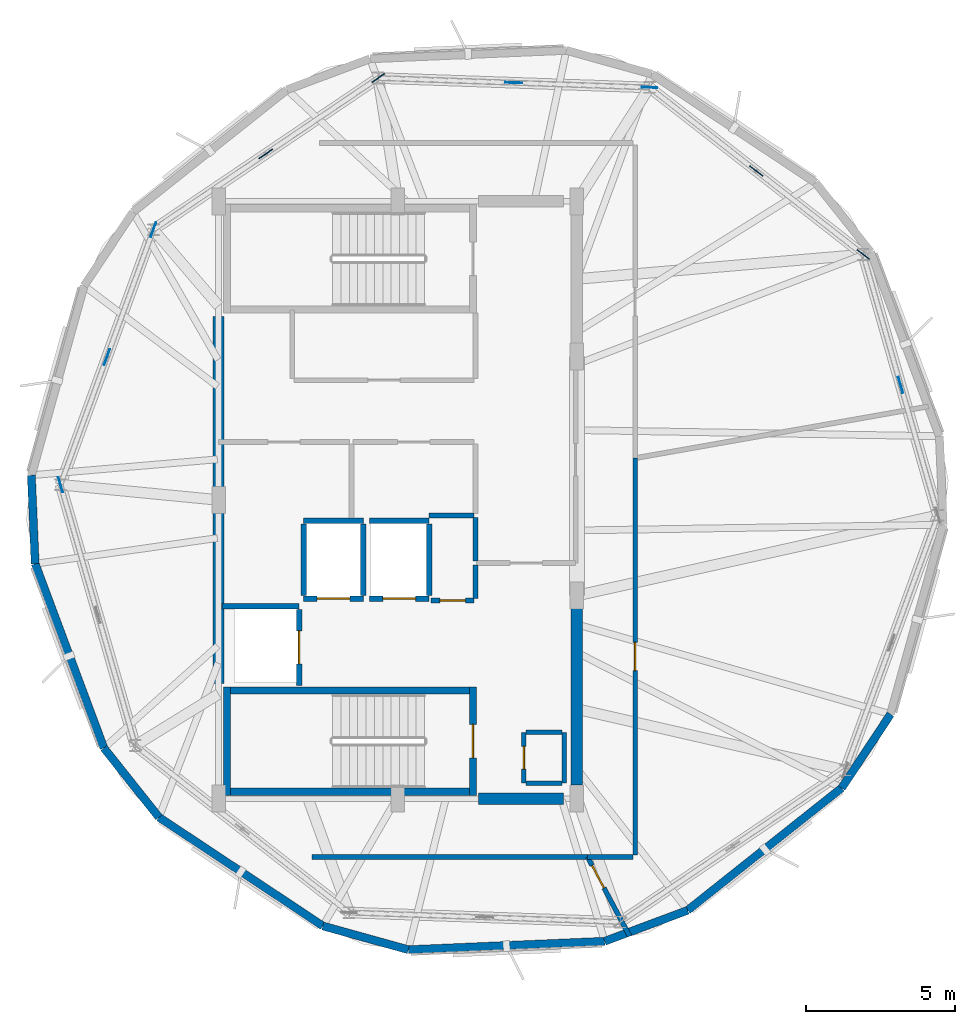
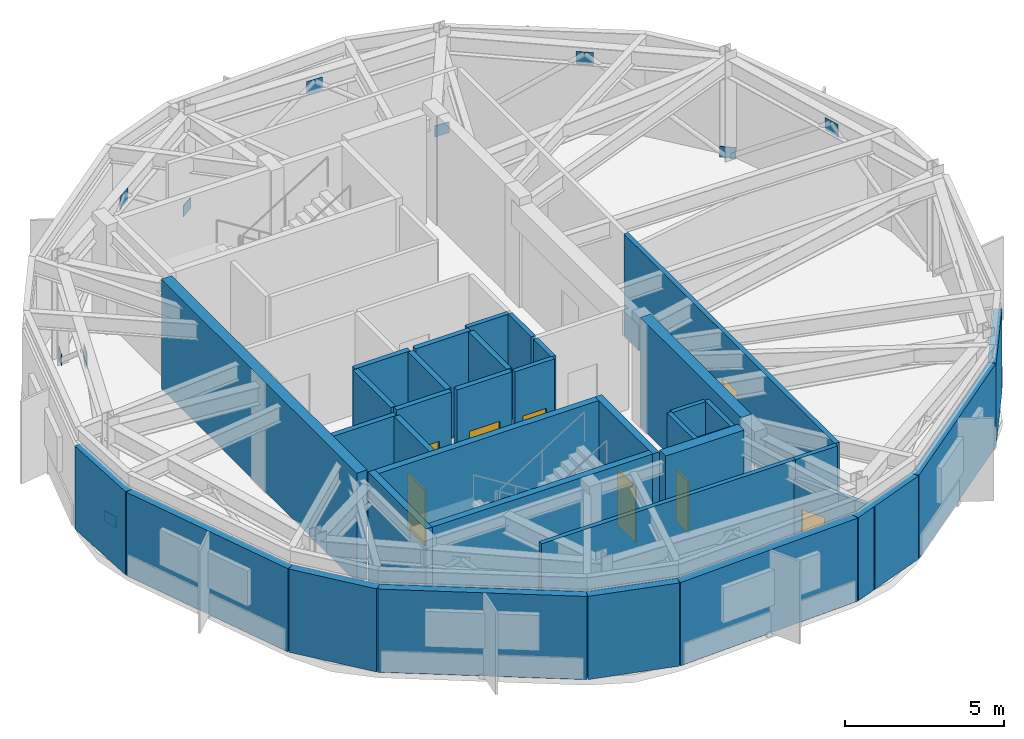
# One storey, part 3 of 6: 37 walls, 10 plates, 8 doors, 8 openings.
"""IFC4 building model written with IfcOpenShell, lengths in metres."""

from ifc_helpers import new_model, si_unit, direction, frame, frame_2d, origin, origin_2d, place, context, subcontext, project, spatial, rectangle, extrude, material, layer, layer_set, type_object, element, fill, save


model = new_model("IFC4")

# Units and contexts
model_context = context("Model", 3, precision=1e-05, world=origin(), true_north=direction((0.0, 1.0)))
body_context = subcontext(model_context, "Body", "Model", "MODEL_VIEW")
ifc_project = project(units=[si_unit("LENGTHUNIT", "METRE"), si_unit("AREAUNIT", "SQUARE_METRE"), si_unit("VOLUMEUNIT", "CUBIC_METRE"), si_unit("PLANEANGLEUNIT", "RADIAN"), si_unit("MASSUNIT", "GRAM", prefix="KILO")], contexts=[model_context])

# Site, building, storey
site_placement = place(None, origin())
site = spatial("IfcSite", under=ifc_project, at=site_placement, CompositionType="ELEMENT")
building_placement = place(site_placement, origin())
building = spatial("IfcBuilding", under=site, at=building_placement, Name="Soratama Intermodal Tower", CompositionType="ELEMENT")
storey_placement = place(building_placement, frame((0.0, 0.0, 309.85009765625)))
storey = spatial("IfcBuildingStorey", under=building, at=storey_placement, Name="L78", CompositionType="ELEMENT", Elevation=309.85009765625)

# Plates
ifc_material_1 = material(Name="Structural steel ASTM A992 Grade 50", Category="steel")
ifc_layer_1 = layer(ifc_material_1, 0.030029296875)
ifc_layer_set_1 = layer_set([ifc_layer_1], Name="Structural steel ASTM A992 Grade 50")
plate_type = type_object("IfcPlateType", Name="PL-GUSSET-30", PredefinedType="USERDEFINED", material=ifc_layer_set_1)
plate_1_placement = place(storey_placement, frame((50.607421875, 36.016845703125, 3.12744140625), z_axis=(0.0, 0.0, 1.0), x_axis=(-0.788010753607, 0.615661475326, 0.0)))
element("IfcPlate", 1, at=plate_1_placement, inside=storey, type_object=plate_type, Name="L78 Belt Truss Apex Gusset 01", ObjectType="GUSSET PLATE", PredefinedType="USERDEFINED", context=body_context, shape_type="SweptSolid", body=[
    extrude(rectangle(XDim=0.56005859375, YDim=0.030029296875, at=origin_2d()), origin(), (0.0, 0.0, 1.0), 0.47998046875),
])
plate_2_placement = place(storey_placement, frame((54.18701171875, 33.22021484375, -0.02001953125), z_axis=(0.0, 0.0, 1.0), x_axis=(-0.788010753607, 0.615661475326, 0.0)))
element("IfcPlate", 2, at=plate_2_placement, inside=storey, type_object=plate_type, Name="L78 Belt Truss Foot Gusset 01", ObjectType="GUSSET PLATE", PredefinedType="USERDEFINED", context=body_context, shape_type="SweptSolid", body=[
    extrude(rectangle(XDim=0.52001953125, YDim=0.030029296875, at=origin_2d()), origin(), (0.0, 0.0, 1.0), 0.419921875),
])
plate_3_placement = place(storey_placement, frame((42.48779296875, 38.971923828125, 3.12744140625), z_axis=(0.0, 0.0, 1.0), x_axis=(-0.999390827019, 0.034899496703, 0.0)))
element("IfcPlate", 3, at=plate_3_placement, inside=storey, type_object=plate_type, Name="L78 Belt Truss Apex Gusset 02", ObjectType="GUSSET PLATE", PredefinedType="USERDEFINED", context=body_context, shape_type="SweptSolid", body=[
    extrude(rectangle(XDim=0.56005859375, YDim=0.030029296875, at=origin_2d()), origin(), (0.0, 0.0, 1.0), 0.47998046875),
])
plate_4_placement = place(storey_placement, frame((47.027587890625, 38.8134765625, -0.02001953125), z_axis=(0.0, 0.0, 1.0), x_axis=(-0.999390827019, 0.034899496703, 0.0)))
element("IfcPlate", 4, at=plate_4_placement, inside=storey, type_object=plate_type, Name="L78 Belt Truss Foot Gusset 02", ObjectType="GUSSET PLATE", PredefinedType="USERDEFINED", context=body_context, shape_type="SweptSolid", body=[
    extrude(rectangle(XDim=0.52001953125, YDim=0.030029296875, at=origin_2d()), origin(), (0.0, 0.0, 1.0), 0.419921875),
])
plate_5_placement = place(storey_placement, frame((34.18212890625, 36.59033203125, 3.12744140625), z_axis=(0.0, 0.0, 1.0), x_axis=(-0.829037572555, -0.559192903471, 0.0)))
element("IfcPlate", 5, at=plate_5_placement, inside=storey, type_object=plate_type, Name="L78 Belt Truss Apex Gusset 03", ObjectType="GUSSET PLATE", PredefinedType="USERDEFINED", context=body_context, shape_type="SweptSolid", body=[
    extrude(rectangle(XDim=0.56005859375, YDim=0.030029296875, at=origin_2d()), origin(), (0.0, 0.0, 1.0), 0.47998046875),
])
plate_6_placement = place(storey_placement, frame((37.947998046875, 39.130615234375, -0.02001953125), z_axis=(0.0, 0.0, 1.0), x_axis=(-0.829037572555, -0.559192903471, 0.0)))
element("IfcPlate", 6, at=plate_6_placement, inside=storey, type_object=plate_type, Name="L78 Belt Truss Foot Gusset 03", ObjectType="GUSSET PLATE", PredefinedType="USERDEFINED", context=body_context, shape_type="SweptSolid", body=[
    extrude(rectangle(XDim=0.52001953125, YDim=0.030029296875, at=origin_2d()), origin(), (0.0, 0.0, 1.0), 0.419921875),
])
plate_7_placement = place(storey_placement, frame((28.862548828125, 29.781494140625, 3.12744140625), z_axis=(0.0, 0.0, 1.0), x_axis=(-0.342020143326, -0.939692620786, 0.0)))
element("IfcPlate", 7, at=plate_7_placement, inside=storey, type_object=plate_type, Name="L78 Belt Truss Apex Gusset 04", ObjectType="GUSSET PLATE", PredefinedType="USERDEFINED", context=body_context, shape_type="SweptSolid", body=[
    extrude(rectangle(XDim=0.56005859375, YDim=0.030029296875, at=origin_2d()), origin(), (0.0, 0.0, 1.0), 0.47998046875),
])
for number, where, z_axis, x_axis, name in (
    (8, (30.416259765625, 34.05029296875, -0.02001953125), (0.0, 0.0, 1.0), (-0.342020143326, -0.939692620786, 0.0), "L78 Belt Truss Foot Gusset 04"),
    (9, (27.30908203125, 25.512939453125, -0.02001953125), (0.0, 0.0, 1.0), (0.275637355817, -0.961261695938, 0.0), "L78 Belt Truss Foot Gusset 05"),
):
    element("IfcPlate", number, at=place(storey_placement, frame(where, z_axis=z_axis, x_axis=x_axis)), inside=storey, type_object=plate_type, Name=name, ObjectType="GUSSET PLATE", PredefinedType="USERDEFINED", context=body_context, shape_type="SweptSolid", body=[
        extrude(rectangle(XDim=0.52001953125, YDim=0.030029296875, at=origin_2d()), origin(), (0.0, 0.0, 1.0), 0.419921875),
    ])
plate_8_placement = place(storey_placement, frame((55.43896484375, 28.853515625, 3.12744140625), z_axis=(0.0, 0.0, 1.0), x_axis=(-0.275637355817, 0.961261695938, 0.0)))
element("IfcPlate", 10, at=plate_8_placement, inside=storey, type_object=plate_type, Name="L78 Belt Truss Apex Gusset 10", ObjectType="GUSSET PLATE", PredefinedType="USERDEFINED", context=body_context, shape_type="SweptSolid", body=[
    extrude(rectangle(XDim=0.56005859375, YDim=0.030029296875, at=origin_2d()), origin(), (0.0, 0.0, 1.0), 0.47998046875),
])

# Walls
ifc_material_2 = material(Name="Concrete f'c 42 MPa", Category="concrete")
ifc_layer_2 = layer(ifc_material_2, 0.27001953125)
ifc_layer_set_2 = layer_set([ifc_layer_2], Name="Concrete f'c 42 MPa")
wall_type_1 = type_object("IfcWallType", Name="EW-CRN-270", PredefinedType="SOLIDWALL", material=ifc_layer_set_2)
wall_1_placement = place(storey_placement, frame((26.332275390625, 25.82861328125, 0.0), z_axis=(0.0, 0.0, 1.0), x_axis=(0.04296219102, -0.999076698829, 0.0)))
element("IfcWall", 11, at=wall_1_placement, inside=storey, type_object=wall_type_1, Name="L78 Corner Closure Wall 03", PredefinedType="SOLIDWALL", context=body_context, shape_type="SweptSolid", body=[
    extrude(rectangle(XDim=2.96630859375, YDim=0.27001953125, at=frame_2d((1.483154296875, 0.0))), origin(), (0.0, 0.0, 1.0), 3.19482421875),
])
wall_2_placement = place(storey_placement, frame((28.760986328125, 16.6962890625, 0.0), z_axis=(0.0, 0.0, 1.0), x_axis=(0.621981590469, -0.783031864688, 0.0)))
element("IfcWall", 12, at=wall_2_placement, inside=storey, type_object=wall_type_1, Name="L78 Corner Closure Wall 04", PredefinedType="SOLIDWALL", context=body_context, shape_type="SweptSolid", body=[
    extrude(rectangle(XDim=2.966552734375, YDim=0.27001953125, at=frame_2d((1.4833984375, 0.0))), origin(), (0.0, 0.0, 1.0), 3.19482421875),
])
wall_3_placement = place(storey_placement, frame((26.459716796875, 22.864990234375, 0.0), z_axis=(0.0, 0.0, 1.0), x_axis=(0.349525906229, -0.936926699841, 0.0)))
element("IfcWall", 13, at=wall_3_placement, inside=storey, type_object=wall_type_1, Name="L78 Plant Wall F04", PredefinedType="SOLIDWALL", context=body_context, shape_type="SweptSolid", body=[
    extrude(rectangle(XDim=6.583984375, YDim=0.27001953125, at=frame_2d((3.2919921875, 0.0))), origin(), (0.0, 0.0, 1.0), 3.19482421875),
])
wall_4_placement = place(storey_placement, frame((36.093994140625, 10.735595703125, 0.0), z_axis=(0.0, 0.0, 1.0), x_axis=(0.9634471278, -0.267898547838, 0.0)))
element("IfcWall", 14, at=wall_4_placement, inside=storey, type_object=wall_type_1, Name="L78 Corner Closure Wall 05", PredefinedType="SOLIDWALL", context=body_context, shape_type="SweptSolid", body=[
    extrude(rectangle(XDim=2.96630859375, YDim=0.27001953125, at=frame_2d((1.483154296875, 0.0))), origin(), (0.0, 0.0, 1.0), 3.19482421875),
])
wall_5_placement = place(storey_placement, frame((30.606201171875, 14.373291015625, 0.0), z_axis=(0.0, 0.0, 1.0), x_axis=(0.833507833443, -0.552507639394, 0.0)))
element("IfcWall", 15, at=wall_5_placement, inside=storey, type_object=wall_type_1, Name="L78 Plant Wall F05", PredefinedType="SOLIDWALL", context=body_context, shape_type="SweptSolid", body=[
    extrude(rectangle(XDim=6.583984375, YDim=0.27001953125, at=frame_2d((3.2919921875, 0.0))), origin(), (0.0, 0.0, 1.0), 3.19482421875),
])
wall_6_placement = place(storey_placement, frame((45.52978515625, 10.223388671875, 0.0), z_axis=(0.0, 0.0, 1.0), x_axis=(0.936896155524, 0.349607771316, 0.0)))
element("IfcWall", 16, at=wall_6_placement, inside=storey, type_object=wall_type_1, Name="L78 Corner Closure Wall 06", PredefinedType="SOLIDWALL", context=body_context, shape_type="SweptSolid", body=[
    extrude(rectangle(XDim=2.966552734375, YDim=0.27001953125, at=frame_2d((1.4833984375, 0.0))), origin(), (0.0, 0.0, 1.0), 3.19482421875),
])
wall_7_placement = place(storey_placement, frame((38.951904296875, 9.94091796875, 0.0), z_axis=(0.0, 0.0, 1.0), x_axis=(0.999079243743, 0.042902968675, 0.0)))
element("IfcWall", 17, at=wall_7_placement, inside=storey, type_object=wall_type_1, Name="L78 Plant Wall F06", PredefinedType="SOLIDWALL", context=body_context, shape_type="SweptSolid", body=[
    extrude(rectangle(XDim=6.583984375, YDim=0.27001953125, at=frame_2d((3.2919921875, 0.0))), origin(), (0.0, 0.0, 1.0), 3.19482421875),
])
wall_8_placement = place(storey_placement, frame((53.464599609375, 15.35546875, 0.0), z_axis=(0.0, 0.0, 1.0), x_axis=(0.552533308553, 0.833490817549, 0.0)))
element("IfcWall", 18, at=wall_8_placement, inside=storey, type_object=wall_type_1, Name="L78 Corner Closure Wall 07", PredefinedType="SOLIDWALL", context=body_context, shape_type="SweptSolid", body=[
    extrude(rectangle(XDim=2.966552734375, YDim=0.27001953125, at=frame_2d((1.4833984375, 0.0))), origin(), (0.0, 0.0, 1.0), 3.19482421875),
])
wall_9_placement = place(storey_placement, frame((48.30908203125, 11.260498046875, 0.0), z_axis=(0.0, 0.0, 1.0), x_axis=(0.78304551323, 0.621964407511, 0.0)))
element("IfcWall", 19, at=wall_9_placement, inside=storey, type_object=wall_type_1, Name="L78 Plant Wall F07", PredefinedType="SOLIDWALL", context=body_context, shape_type="SweptSolid", body=[
    extrude(rectangle(XDim=6.583984375, YDim=0.27001953125, at=frame_2d((3.2919921875, 0.0))), origin(), (0.0, 0.0, 1.0), 3.19482421875),
])
ifc_material_3 = material(Name="Fire-rated gypsum stud partition", Category="concrete")
ifc_layer_3 = layer(ifc_material_3, 0.14990234375)
ifc_layer_set_3 = layer_set([ifc_layer_3], Name="Fire-rated gypsum stud partition")
wall_type_2 = type_object("IfcWallType", Name="IW-PART-R150", PredefinedType="PARTITIONING", material=ifc_layer_set_3)
for number, where, z_axis, x_axis, name in (
    (20, (42.89990234375, 15.52001953125, 0.0), (0.0, 0.0, 1.0), (1.0, 0.0, 0.0), "L78 Riser Wall S"),
    (21, (42.89990234375, 17.219970703125, 0.0), (0.0, 0.0, 1.0), (1.0, 0.0, 0.0), "L78 Riser Wall N"),
):
    element("IfcWall", number, at=place(storey_placement, frame(where, z_axis=z_axis, x_axis=x_axis)), inside=storey, type_object=wall_type_2, Name=name, PredefinedType="PARTITIONING", context=body_context, shape_type="SweptSolid", body=[
        extrude(rectangle(XDim=1.2001953125, YDim=0.14990234375, at=frame_2d((0.60009765625, 0.0))), origin(), (0.0, 0.0, 1.0), 3.89501953125),
    ])
wall_10_placement = place(storey_placement, frame((44.179931640625, 15.52001953125, 0.0), z_axis=(0.0, 0.0, 1.0), x_axis=(0.0, 1.0, 0.0)))
element("IfcWall", 22, at=wall_10_placement, inside=storey, type_object=wall_type_2, Name="L78 Riser Wall E", PredefinedType="PARTITIONING", context=body_context, shape_type="SweptSolid", body=[
    extrude(rectangle(XDim=1.699951171875, YDim=0.14990234375, at=frame_2d((0.85009765625, 0.0))), origin(), (0.0, 0.0, 1.0), 3.89501953125),
])

# Wall, opening, door
wall_11_placement = place(storey_placement, frame((42.820068359375, 15.52001953125, 0.0), z_axis=(0.0, 0.0, 1.0), x_axis=(0.0, 1.0, 0.0)))
wall_11 = element("IfcWall", 23, at=wall_11_placement, inside=storey, type_object=wall_type_2, Name="L78 Riser Front Wall", PredefinedType="PARTITIONING", context=body_context, shape_type="SweptSolid", body=[
    extrude(rectangle(XDim=1.699951171875, YDim=0.14990234375, at=frame_2d((0.85009765625, 0.0))), origin(), (0.0, 0.0, 1.0), 3.89501953125),
])
opening_1_placement = place(wall_11_placement, frame((0.469970703125, 0.0, 0.0)))
opening_1 = element("IfcOpeningElement", 24, at=opening_1_placement, cuts=wall_11, Name="Opening TD-1", PredefinedType="OPENING", context=body_context, shape_type="SweptSolid", body=[
    extrude(rectangle(XDim=0.760009765625, YDim=2.0, at=frame_2d((0.3798828125, 1.0))), frame((0.0, 0.0849609375, 0.0), z_axis=(0.0, -1.0, 0.0), x_axis=(1.0, 0.0, 0.0)), (0.0, 0.0, 1.0), 0.169921875),
])
ifc_material_4 = material(Name="Steel fire door", Category="steel")
door_type_1 = type_object("IfcDoorType", Name="DR-RISER-TRAP", OperationType="NOTDEFINED", PredefinedType="TRAPDOOR", material=ifc_material_4)
door_1_placement = place(opening_1_placement, origin())
door_1 = element("IfcDoor", 25, at=door_1_placement, inside=storey, type_object=door_type_1, Name="L78 Riser Inspection Door", OperationType="SINGLE_SWING_LEFT", OverallHeight=2.0, OverallWidth=0.760009765625, PredefinedType="TRAPDOOR", context=body_context, shape_type="SweptSolid", body=[
    extrude(rectangle(XDim=0.760009765625, YDim=2.0, at=frame_2d((0.3798828125, 1.0))), frame((0.0, 0.02490234375, 0.0), z_axis=(0.0, -1.0, 0.0), x_axis=(1.0, 0.0, 0.0)), (0.0, 0.0, 1.0), 0.050048828125),
])
fill(opening_1, door_1)

ifc_material_5 = material(Name="Fire-rated gypsum stud partition", Category="concrete")
ifc_layer_4 = layer(ifc_material_5, 0.159912109375)
ifc_layer_set_4 = layer_set([ifc_layer_4], Name="Fire-rated gypsum stud partition")
wall_type_3 = type_object("IfcWallType", Name="IW-PART-R160", PredefinedType="PARTITIONING", material=ifc_layer_set_4)
wall_12_placement = place(storey_placement, frame((46.550048828125, 26.40087890625, 0.0), z_axis=(0.0, 0.0, 1.0), x_axis=(0.0, -1.0, 0.0)))
wall_12 = element("IfcWall", 26, at=wall_12_placement, inside=storey, type_object=wall_type_3, Name="L78 Partition W-L78-TP001", PredefinedType="PARTITIONING", context=body_context, shape_type="SweptSolid", body=[
    extrude(rectangle(XDim=13.28076171875, YDim=0.159912109375, at=frame_2d((6.640380859375, 0.0))), origin(), (0.0, 0.0, 1.0), 3.89501953125),
])
opening_2_placement = place(wall_12_placement, frame((6.166015625, 0.0, 0.0)))
opening_2 = element("IfcOpeningElement", 27, at=opening_2_placement, cuts=wall_12, Name="Opening ID-3", PredefinedType="OPENING", context=body_context, shape_type="SweptSolid", body=[
    extrude(rectangle(XDim=0.949951171875, YDim=2.14990234375, at=frame_2d((0.47509765625, 1.074951171875))), frame((0.0, 0.08984375, 0.0), z_axis=(0.0, -1.0, 0.0), x_axis=(1.0, 0.0, 0.0)), (0.0, 0.0, 1.0), 0.179931640625),
])
ifc_material_6 = material(Name="Solid hardwood acoustic door", Category="wood")
door_type_2 = type_object("IfcDoorType", Name="DR-ROOM-950", OperationType="NOTDEFINED", PredefinedType="DOOR", material=ifc_material_6)
door_2_placement = place(opening_2_placement, origin())
door_2 = element("IfcDoor", 28, at=door_2_placement, inside=storey, type_object=door_type_2, Name="L78 Door D-L78-TP001", OperationType="SINGLE_SWING_RIGHT", OverallHeight=2.14990234375, OverallWidth=0.949951171875, PredefinedType="DOOR", context=body_context, shape_type="SweptSolid", body=[
    extrude(rectangle(XDim=0.949951171875, YDim=2.14990234375, at=frame_2d((0.47509765625, 1.074951171875))), frame((0.0, 0.02490234375, 0.0), z_axis=(0.0, -1.0, 0.0), x_axis=(1.0, 0.0, 0.0)), (0.0, 0.0, 1.0), 0.050048828125),
])
fill(opening_2, door_2)

wall_13_placement = place(storey_placement, frame((46.365966796875, 10.39306640625, 0.0), z_axis=(0.0, 0.0, 1.0), x_axis=(-0.46924421405, 0.883068438787, 0.0)))
wall_13 = element("IfcWall", 29, at=wall_13_placement, inside=storey, type_object=wall_type_3, Name="L78 Partition W-L78-TP009", PredefinedType="PARTITIONING", context=body_context, shape_type="SweptSolid", body=[
    extrude(rectangle(XDim=3.0087890625, YDim=0.159912109375, at=frame_2d((1.50439453125, 0.0))), origin(), (0.0, 0.0, 1.0), 3.18994140625),
])
opening_3_placement = place(wall_13_placement, frame((1.83203125, 0.0, 0.0)))
opening_3 = element("IfcOpeningElement", 30, at=opening_3_placement, cuts=wall_13, Name="Opening ID-4", PredefinedType="OPENING", context=body_context, shape_type="SweptSolid", body=[
    extrude(rectangle(XDim=0.85009765625, YDim=2.10009765625, at=frame_2d((0.425048828125, 1.050048828125))), frame((0.0, 0.08984375, 0.0), z_axis=(0.0, -1.0, 0.0), x_axis=(1.0, 0.0, 0.0)), (0.0, 0.0, 1.0), 0.179931640625),
])
ifc_material_7 = material(Name="Solid hardwood acoustic door", Category="wood")
door_type_3 = type_object("IfcDoorType", Name="DR-BATH-850", OperationType="NOTDEFINED", PredefinedType="DOOR", material=ifc_material_7)
door_3_placement = place(opening_3_placement, origin())
door_3 = element("IfcDoor", 31, at=door_3_placement, inside=storey, type_object=door_type_3, Name="L78 Door D-L78-TP009", OperationType="SINGLE_SWING_LEFT", OverallHeight=2.10009765625, OverallWidth=0.85009765625, PredefinedType="DOOR", context=body_context, shape_type="SweptSolid", body=[
    extrude(rectangle(XDim=0.85009765625, YDim=2.10009765625, at=frame_2d((0.425048828125, 1.050048828125))), frame((0.0, 0.02490234375, 0.0), z_axis=(0.0, -1.0, 0.0), x_axis=(1.0, 0.0, 0.0)), (0.0, 0.0, 1.0), 0.050048828125),
])
fill(opening_3, door_3)

# Walls
wall_14_placement = place(storey_placement, frame((46.47998046875, 13.050048828125, 0.0), z_axis=(0.0, 0.0, 1.0), x_axis=(-1.0, 0.0, 0.0)))
element("IfcWall", 32, at=wall_14_placement, inside=storey, type_object=wall_type_3, Name="L78 Partition W-L78-TP014", PredefinedType="PARTITIONING", context=body_context, shape_type="SweptSolid", body=[
    extrude(rectangle(XDim=1.52587890625, YDim=0.159912109375, at=frame_2d((0.762939453125, 0.0))), origin(), (0.0, 0.0, 1.0), 3.89501953125),
])
wall_15_placement = place(storey_placement, frame((39.64990234375, 24.485107421875, 0.0), z_axis=(0.0, 0.0, 1.0), x_axis=(1.0, 0.0, 0.0)))
element("IfcWall", 33, at=wall_15_placement, inside=storey, type_object=wall_type_3, Name="L78 Partition W-L78-TP015", PredefinedType="PARTITIONING", context=body_context, shape_type="SweptSolid", body=[
    extrude(rectangle(XDim=1.510009765625, YDim=0.159912109375, at=frame_2d((0.7548828125, 0.0))), origin(), (0.0, 0.0, 1.0), 3.89501953125),
])
wall_16_placement = place(storey_placement, frame((41.199951171875, 22.9599609375, 0.0), z_axis=(0.0, 0.0, 1.0), x_axis=(0.0, 1.0, 0.0)))
element("IfcWall", 34, at=wall_16_placement, inside=storey, type_object=wall_type_3, Name="L78 Partition W-L78-TP016", PredefinedType="PARTITIONING", context=body_context, shape_type="SweptSolid", body=[
    extrude(rectangle(XDim=1.4599609375, YDim=0.159912109375, at=frame_2d((0.72998046875, 0.0))), origin(), (0.0, 0.0, 1.0), 3.89501953125),
])
wall_17_placement = place(storey_placement, frame((44.9541015625, 13.050048828125, 0.0), z_axis=(0.0, 0.0, 1.0), x_axis=(-1.0, 0.0, 0.0)))
element("IfcWall", 35, at=wall_17_placement, inside=storey, type_object=wall_type_3, Name="L78 Partition W-L78-TP020", PredefinedType="PARTITIONING", context=body_context, shape_type="SweptSolid", body=[
    extrude(rectangle(XDim=9.22119140625, YDim=0.159912109375, at=frame_2d((4.610595703125, 0.0))), origin(), (0.0, 0.0, 1.0), 3.89501953125),
])

# Wall, opening, door
ifc_material_8 = material(Name="Fire-rated gypsum stud partition", Category="concrete")
ifc_layer_5 = layer(ifc_material_8, 0.169921875)
ifc_layer_set_5 = layer_set([ifc_layer_5], Name="Fire-rated gypsum stud partition")
wall_type_4 = type_object("IfcWallType", Name="IW-PART-R170", PredefinedType="PARTITIONING", material=ifc_layer_set_5)
wall_18_placement = place(storey_placement, frame((39.719970703125, 21.639892578125, 0.0), z_axis=(0.0, 0.0, 1.0), x_axis=(1.0, 0.0, 0.0)))
wall_18 = element("IfcWall", 36, at=wall_18_placement, inside=storey, type_object=wall_type_4, Name="L78 Partition W-L78-TP017", PredefinedType="PARTITIONING", context=body_context, shape_type="SweptSolid", body=[
    extrude(rectangle(XDim=1.43994140625, YDim=0.169921875, at=frame_2d((0.719970703125, 0.0))), origin(), (0.0, 0.0, 1.0), 3.89501953125),
])
opening_4_placement = place(wall_18_placement, frame((0.294921875, 0.0, 0.0)))
opening_4 = element("IfcOpeningElement", 37, at=opening_4_placement, cuts=wall_18, Name="Opening ID-4", PredefinedType="OPENING", context=body_context, shape_type="SweptSolid", body=[
    extrude(rectangle(XDim=0.85009765625, YDim=2.10009765625, at=frame_2d((0.425048828125, 1.050048828125))), frame((0.0, 0.094970703125, 0.0), z_axis=(0.0, -1.0, 0.0), x_axis=(1.0, 0.0, 0.0)), (0.0, 0.0, 1.0), 0.18994140625),
])
door_4_placement = place(opening_4_placement, origin())
door_4 = element("IfcDoor", 38, at=door_4_placement, inside=storey, type_object=door_type_3, Name="L78 Door D-L78-TP008", OperationType="SINGLE_SWING_LEFT", OverallHeight=2.10009765625, OverallWidth=0.85009765625, PredefinedType="DOOR", context=body_context, shape_type="SweptSolid", body=[
    extrude(rectangle(XDim=0.85009765625, YDim=2.10009765625, at=frame_2d((0.425048828125, 1.050048828125))), frame((0.0, 0.02490234375, 0.0), z_axis=(0.0, -1.0, 0.0), x_axis=(1.0, 0.0, 0.0)), (0.0, 0.0, 1.0), 0.050048828125),
])
fill(opening_4, door_4)

# Wall
wall_19_placement = place(storey_placement, frame((41.199951171875, 21.699951171875, 0.0), z_axis=(0.0, 0.0, 1.0), x_axis=(0.0, 1.0, 0.0)))
element("IfcWall", 39, at=wall_19_placement, inside=storey, type_object=wall_type_4, Name="L78 Partition W-L78-TP018", PredefinedType="PARTITIONING", context=body_context, shape_type="SweptSolid", body=[
    extrude(rectangle(XDim=1.1201171875, YDim=0.169921875, at=frame_2d((0.56005859375, 0.0))), origin(), (0.0, 0.0, 1.0), 3.89501953125),
])

# Wall, opening, door
ifc_material_9 = material(Name="Concrete f'c 42 MPa", Category="concrete")
ifc_layer_6 = layer(ifc_material_9, 0.18505859375)
ifc_layer_set_6 = layer_set([ifc_layer_6], Name="Concrete f'c 42 MPa")
wall_type_5 = type_object("IfcWallType", Name="IW-SHAFT-185", PredefinedType="SOLIDWALL", material=ifc_layer_set_6)
wall_20_placement = place(storey_placement, frame((35.449951171875, 21.699951171875, 0.0), z_axis=(0.0, 0.0, 1.0), x_axis=(1.0, 0.0, 0.0)))
wall_20 = element("IfcWall", 40, at=wall_20_placement, inside=storey, type_object=wall_type_5, Name="L78 FFL-1 Hoistway Wall S", PredefinedType="SOLIDWALL", context=body_context, shape_type="SweptSolid", body=[
    extrude(rectangle(XDim=2.0, YDim=0.18505859375, at=frame_2d((1.0, 0.0))), origin(), (0.0, 0.0, 1.0), 3.89501953125),
])
opening_5_placement = place(wall_20_placement, frame((0.449951171875, 0.0, 0.0)))
opening_5 = element("IfcOpeningElement", 41, at=opening_5_placement, cuts=wall_20, Name="Opening LD-1", PredefinedType="OPENING", context=body_context, shape_type="SweptSolid", body=[
    extrude(rectangle(XDim=1.10009765625, YDim=2.14990234375, at=frame_2d((0.550048828125, 1.074951171875))), frame((0.0, 0.1025390625, 0.0), z_axis=(0.0, -1.0, 0.0), x_axis=(1.0, 0.0, 0.0)), (0.0, 0.0, 1.0), 0.205078125),
])
ifc_material_10 = material(Name="Steel fire door", Category="steel")
door_type_4 = type_object("IfcDoorType", Name="DR-LIFT-SLIDE", OperationType="NOTDEFINED", PredefinedType="DOOR", material=ifc_material_10)
door_5_placement = place(opening_5_placement, origin())
door_5 = element("IfcDoor", 42, at=door_5_placement, inside=storey, type_object=door_type_4, Name="L78 FFL-1 Sliding Landing Door", OperationType="SLIDING_TO_LEFT", OverallHeight=2.14990234375, OverallWidth=1.10009765625, PredefinedType="DOOR", context=body_context, shape_type="SweptSolid", body=[
    extrude(rectangle(XDim=1.10009765625, YDim=2.14990234375, at=frame_2d((0.550048828125, 1.074951171875))), frame((0.0, 0.02490234375, 0.0), z_axis=(0.0, -1.0, 0.0), x_axis=(1.0, 0.0, 0.0)), (0.0, 0.0, 1.0), 0.050048828125),
])
fill(opening_5, door_5)

# Walls
wall_21_placement = place(storey_placement, frame((35.449951171875, 24.300048828125, 0.0), z_axis=(0.0, 0.0, 1.0), x_axis=(1.0, 0.0, 0.0)))
element("IfcWall", 43, at=wall_21_placement, inside=storey, type_object=wall_type_5, Name="L78 FFL-1 Hoistway Wall N", PredefinedType="SOLIDWALL", context=body_context, shape_type="SweptSolid", body=[
    extrude(rectangle(XDim=2.0, YDim=0.18505859375, at=frame_2d((1.0, 0.0))), origin(), (0.0, 0.0, 1.0), 3.89501953125),
])
for number, where, z_axis, x_axis, name in (
    (44, (35.449951171875, 21.81005859375, 0.0), (0.0, 0.0, 1.0), (0.0, 1.0, 0.0), "L78 FFL-1 Hoistway Wall W"),
    (45, (37.449951171875, 21.81005859375, 0.0), (0.0, 0.0, 1.0), (0.0, 1.0, 0.0), "L78 FFL-1 Hoistway Wall E"),
):
    element("IfcWall", number, at=place(storey_placement, frame(where, z_axis=z_axis, x_axis=x_axis)), inside=storey, type_object=wall_type_5, Name=name, PredefinedType="SOLIDWALL", context=body_context, shape_type="SweptSolid", body=[
        extrude(rectangle(XDim=2.3798828125, YDim=0.18505859375, at=frame_2d((1.18994140625, 0.0))), origin(), (0.0, 0.0, 1.0), 3.89501953125),
    ])

# Wall, opening, door
wall_22_placement = place(storey_placement, frame((37.64990234375, 21.699951171875, 0.0), z_axis=(0.0, 0.0, 1.0), x_axis=(1.0, 0.0, 0.0)))
wall_22 = element("IfcWall", 46, at=wall_22_placement, inside=storey, type_object=wall_type_5, Name="L78 FFL-2 Hoistway Wall S", PredefinedType="SOLIDWALL", context=body_context, shape_type="SweptSolid", body=[
    extrude(rectangle(XDim=2.0, YDim=0.18505859375, at=frame_2d((1.0, 0.0))), origin(), (0.0, 0.0, 1.0), 3.89501953125),
])
opening_6_placement = place(wall_22_placement, frame((0.449951171875, 0.0, 0.0)))
opening_6 = element("IfcOpeningElement", 47, at=opening_6_placement, cuts=wall_22, Name="Opening LD-1", PredefinedType="OPENING", context=body_context, shape_type="SweptSolid", body=[
    extrude(rectangle(XDim=1.10009765625, YDim=2.14990234375, at=frame_2d((0.550048828125, 1.074951171875))), frame((0.0, 0.1025390625, 0.0), z_axis=(0.0, -1.0, 0.0), x_axis=(1.0, 0.0, 0.0)), (0.0, 0.0, 1.0), 0.205078125),
])
door_6_placement = place(opening_6_placement, origin())
door_6 = element("IfcDoor", 48, at=door_6_placement, inside=storey, type_object=door_type_4, Name="L78 FFL-2 Sliding Landing Door", OperationType="SLIDING_TO_LEFT", OverallHeight=2.14990234375, OverallWidth=1.10009765625, PredefinedType="DOOR", context=body_context, shape_type="SweptSolid", body=[
    extrude(rectangle(XDim=1.10009765625, YDim=2.14990234375, at=frame_2d((0.550048828125, 1.074951171875))), frame((0.0, 0.02490234375, 0.0), z_axis=(0.0, -1.0, 0.0), x_axis=(1.0, 0.0, 0.0)), (0.0, 0.0, 1.0), 0.050048828125),
])
fill(opening_6, door_6)

# Walls
wall_23_placement = place(storey_placement, frame((37.64990234375, 24.300048828125, 0.0), z_axis=(0.0, 0.0, 1.0), x_axis=(1.0, 0.0, 0.0)))
element("IfcWall", 49, at=wall_23_placement, inside=storey, type_object=wall_type_5, Name="L78 FFL-2 Hoistway Wall N", PredefinedType="SOLIDWALL", context=body_context, shape_type="SweptSolid", body=[
    extrude(rectangle(XDim=2.0, YDim=0.18505859375, at=frame_2d((1.0, 0.0))), origin(), (0.0, 0.0, 1.0), 3.89501953125),
])
wall_24_placement = place(storey_placement, frame((39.64990234375, 21.81005859375, 0.0), z_axis=(0.0, 0.0, 1.0), x_axis=(0.0, 1.0, 0.0)))
element("IfcWall", 50, at=wall_24_placement, inside=storey, type_object=wall_type_5, Name="L78 FFL-2 Hoistway Wall E", PredefinedType="SOLIDWALL", context=body_context, shape_type="SweptSolid", body=[
    extrude(rectangle(XDim=2.3798828125, YDim=0.18505859375, at=frame_2d((1.18994140625, 0.0))), origin(), (0.0, 0.0, 1.0), 3.89501953125),
])
wall_25_placement = place(storey_placement, frame((32.719970703125, 21.449951171875, 0.0), z_axis=(0.0, 0.0, 1.0), x_axis=(1.0, 0.0, 0.0)))
element("IfcWall", 51, at=wall_25_placement, inside=storey, type_object=wall_type_5, Name="L78 SVL-1 Hoistway Wall N", PredefinedType="SOLIDWALL", context=body_context, shape_type="SweptSolid", body=[
    extrude(rectangle(XDim=2.580078125, YDim=0.18505859375, at=frame_2d((1.2900390625, 0.0))), origin(), (0.0, 0.0, 1.0), 3.89501953125),
])

# Wall, opening, door
wall_26_placement = place(storey_placement, frame((35.300048828125, 18.7900390625, 0.0), z_axis=(0.0, 0.0, 1.0), x_axis=(0.0, 1.0, 0.0)))
wall_26 = element("IfcWall", 52, at=wall_26_placement, inside=storey, type_object=wall_type_5, Name="L78 SVL-1 Hoistway Wall E", PredefinedType="SOLIDWALL", context=body_context, shape_type="SweptSolid", body=[
    extrude(rectangle(XDim=2.550048828125, YDim=0.18505859375, at=frame_2d((1.27490234375, 0.0))), origin(), (0.0, 0.0, 1.0), 3.89501953125),
])
opening_7_placement = place(wall_26_placement, frame((0.72509765625, 0.0, 0.0)))
opening_7 = element("IfcOpeningElement", 53, at=opening_7_placement, cuts=wall_26, Name="Opening LD-1", PredefinedType="OPENING", context=body_context, shape_type="SweptSolid", body=[
    extrude(rectangle(XDim=1.10009765625, YDim=2.14990234375, at=frame_2d((0.550048828125, 1.074951171875))), frame((0.0, 0.1025390625, 0.0), z_axis=(0.0, -1.0, 0.0), x_axis=(1.0, 0.0, 0.0)), (0.0, 0.0, 1.0), 0.205078125),
])
door_7_placement = place(opening_7_placement, origin())
door_7 = element("IfcDoor", 54, at=door_7_placement, inside=storey, type_object=door_type_4, Name="L78 SVL-1 Sliding Landing Door", OperationType="SLIDING_TO_LEFT", OverallHeight=2.14990234375, OverallWidth=1.10009765625, PredefinedType="DOOR", context=body_context, shape_type="SweptSolid", body=[
    extrude(rectangle(XDim=1.10009765625, YDim=2.14990234375, at=frame_2d((0.550048828125, 1.074951171875))), frame((0.0, 0.02490234375, 0.0), z_axis=(0.0, -1.0, 0.0), x_axis=(1.0, 0.0, 0.0)), (0.0, 0.0, 1.0), 0.050048828125),
])
fill(opening_7, door_7)

# Walls
ifc_material_11 = material(Name="Concrete f'c 56 MPa", Category="concrete")
ifc_layer_7 = layer(ifc_material_11, 0.3798828125)
ifc_layer_set_7 = layer_set([ifc_layer_7], Name="Concrete f'c 56 MPa")
wall_type_6 = type_object("IfcWallType", Name="SW-CORE-380", PredefinedType="SHEAR", material=ifc_layer_set_7)
wall_27_placement = place(storey_placement, frame((32.60009765625, 18.85009765625, 0.0), z_axis=(0.0, 0.0, 1.0), x_axis=(0.0, 1.0, 0.0)))
element("IfcWall", 55, at=wall_27_placement, inside=storey, type_object=wall_type_6, Name="L78 Core Shear Wall CW-WMID", PredefinedType="SHEAR", context=body_context, shape_type="SweptSolid", body=[
    extrude(rectangle(XDim=12.2998046875, YDim=0.3798828125, at=frame_2d((6.14990234375, 0.0))), origin(), (0.0, 0.0, 1.0), 4.199951171875),
])
wall_28_placement = place(storey_placement, frame((41.300048828125, 15.0, 0.0), z_axis=(0.0, 0.0, 1.0), x_axis=(1.0, 0.0, 0.0)))
element("IfcWall", 56, at=wall_28_placement, inside=storey, type_object=wall_type_6, Name="L78 Core Shear Wall CW-SE", PredefinedType="SHEAR", context=body_context, shape_type="SweptSolid", body=[
    extrude(rectangle(XDim=2.849853515625, YDim=0.3798828125, at=frame_2d((1.4248046875, 0.0))), origin(), (0.0, 0.0, 1.0), 4.199951171875),
])
wall_29_placement = place(storey_placement, frame((44.60009765625, 15.449951171875, 0.0), z_axis=(0.0, 0.0, 1.0), x_axis=(0.0, 1.0, 0.0)))
element("IfcWall", 57, at=wall_29_placement, inside=storey, type_object=wall_type_6, Name="L78 Core Shear Wall CW-ES", PredefinedType="SHEAR", context=body_context, shape_type="SweptSolid", body=[
    extrude(rectangle(XDim=6.35009765625, YDim=0.3798828125, at=frame_2d((3.175048828125, 0.0))), origin(), (0.0, 0.0, 1.0), 4.199951171875),
])
ifc_material_12 = material(Name="Concrete f'c 56 MPa", Category="concrete")
ifc_layer_8 = layer(ifc_material_12, 0.239990234375)
ifc_layer_set_8 = layer_set([ifc_layer_8], Name="Concrete f'c 56 MPa")
wall_type_7 = type_object("IfcWallType", Name="SW-STAIR-240", PredefinedType="SHEAR", material=ifc_layer_set_8)
wall_30_placement = place(storey_placement, frame((32.8798828125, 15.110107421875, 0.0), z_axis=(0.0, 0.0, 1.0), x_axis=(0.0, 1.0, 0.0)))
element("IfcWall", 58, at=wall_30_placement, inside=storey, type_object=wall_type_7, Name="L78 ST-1 Shaft Shear Wall W", PredefinedType="SHEAR", context=body_context, shape_type="SweptSolid", body=[
    extrude(rectangle(XDim=3.6298828125, YDim=0.239990234375, at=frame_2d((1.81494140625, 0.0))), origin(), (0.0, 0.0, 1.0), 4.199951171875),
])

# Wall, opening, door
wall_31_placement = place(storey_placement, frame((41.1201171875, 15.110107421875, 0.0), z_axis=(0.0, 0.0, 1.0), x_axis=(0.0, 1.0, 0.0)))
wall_31 = element("IfcWall", 59, at=wall_31_placement, inside=storey, type_object=wall_type_7, Name="L78 ST-1 Shaft Shear Wall E", PredefinedType="SHEAR", context=body_context, shape_type="SweptSolid", body=[
    extrude(rectangle(XDim=3.6298828125, YDim=0.239990234375, at=frame_2d((1.81494140625, 0.0))), origin(), (0.0, 0.0, 1.0), 4.199951171875),
])
opening_8_placement = place(wall_31_placement, frame((1.2548828125, 0.0, 0.0)))
opening_8 = element("IfcOpeningElement", 60, at=opening_8_placement, cuts=wall_31, Name="Opening SD-1", PredefinedType="OPENING", context=body_context, shape_type="SweptSolid", body=[
    extrude(rectangle(XDim=1.1201171875, YDim=2.14990234375, at=frame_2d((0.56005859375, 1.074951171875))), frame((0.0, 0.1298828125, 0.0), z_axis=(0.0, -1.0, 0.0), x_axis=(1.0, 0.0, 0.0)), (0.0, 0.0, 1.0), 0.260009765625),
])
ifc_material_13 = material(Name="Steel fire door", Category="steel")
door_type_5 = type_object("IfcDoorType", Name="DR-STAIR-FD90", OperationType="NOTDEFINED", PredefinedType="DOOR", material=ifc_material_13)
door_8_placement = place(opening_8_placement, origin())
door_8 = element("IfcDoor", 61, at=door_8_placement, inside=storey, type_object=door_type_5, Name="L78 ST-1 Exit Stair Door", OperationType="SINGLE_SWING_LEFT", OverallHeight=2.14990234375, OverallWidth=1.1201171875, PredefinedType="DOOR", context=body_context, shape_type="SweptSolid", body=[
    extrude(rectangle(XDim=1.1201171875, YDim=2.14990234375, at=frame_2d((0.56005859375, 1.074951171875))), frame((0.0, 0.02490234375, 0.0), z_axis=(0.0, -1.0, 0.0), x_axis=(1.0, 0.0, 0.0)), (0.0, 0.0, 1.0), 0.050048828125),
])
fill(opening_8, door_8)

# Walls
for number, where, z_axis, x_axis, name in (
    (62, (33.0, 15.22998046875, 0.0), (0.0, 0.0, 1.0), (1.0, 0.0, 0.0), "L78 ST-1 Shaft Shear Wall S"),
    (63, (33.0, 18.6201171875, 0.0), (0.0, 0.0, 1.0), (1.0, 0.0, 0.0), "L78 ST-1 Shaft Shear Wall N"),
):
    element("IfcWall", number, at=place(storey_placement, frame(where, z_axis=z_axis, x_axis=x_axis)), inside=storey, type_object=wall_type_7, Name=name, PredefinedType="SHEAR", context=body_context, shape_type="SweptSolid", body=[
        extrude(rectangle(XDim=8.0, YDim=0.239990234375, at=frame_2d((4.0, 0.0))), origin(), (0.0, 0.0, 1.0), 4.199951171875),
    ])

save(model, "model.ifc")
